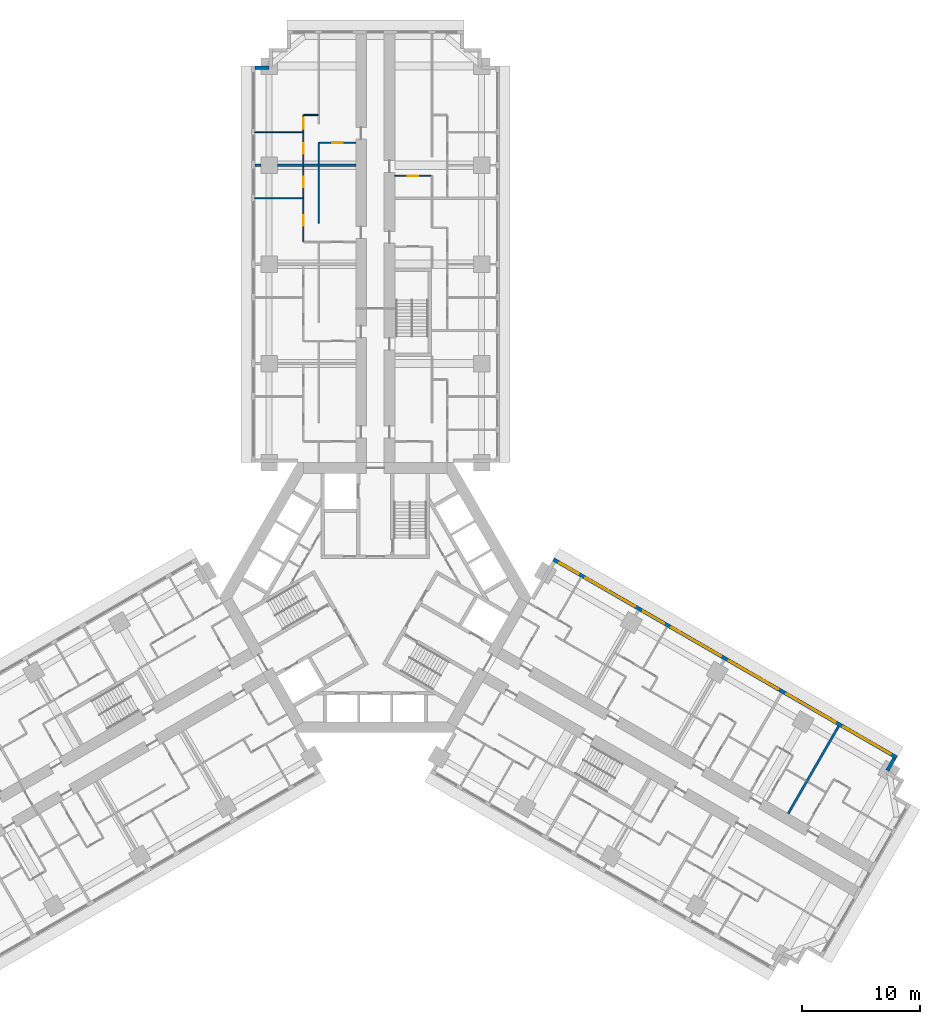
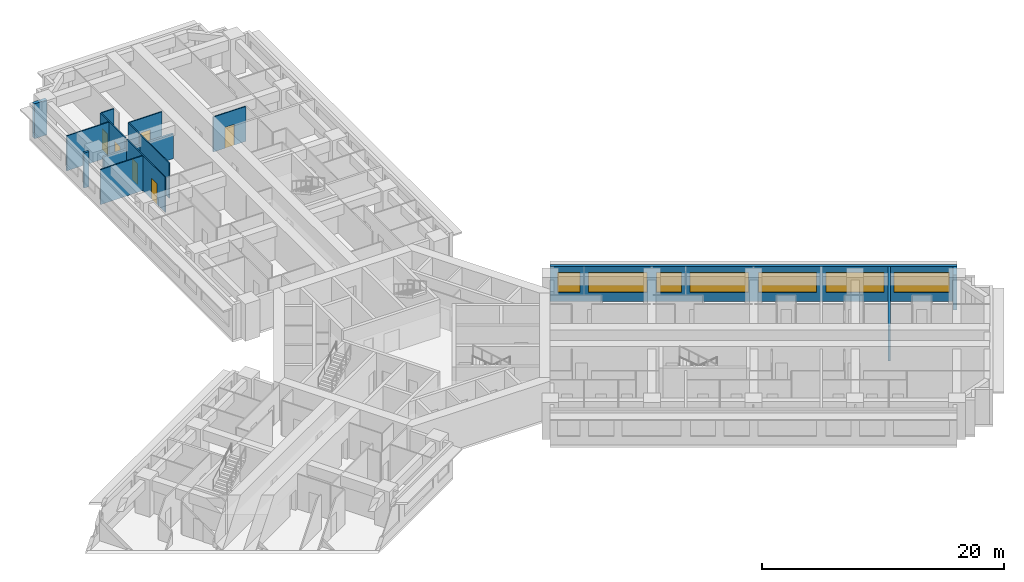
# One storey, part 13 of 16: 15 walls, 7 windows, 6 doors, 13 openings.
"""IFC4 building model written with IfcOpenShell, lengths in metres."""

from ifc_helpers import new_model, si_unit, direction, frame, frame_2d, origin, place, context, subcontext, project, spatial, rectangle, extrude, material, layer, layer_set, type_object, element, fill, save


model = new_model("IFC4")

# Units and contexts
model_context = context("Model", 3, precision=1e-05, world=origin(), true_north=direction((0.0, 1.0)))
body_context = subcontext(model_context, "Body", "Model", "MODEL_VIEW")
ifc_project = project(units=[si_unit("LENGTHUNIT", "METRE"), si_unit("AREAUNIT", "SQUARE_METRE"), si_unit("VOLUMEUNIT", "CUBIC_METRE"), si_unit("PLANEANGLEUNIT", "RADIAN"), si_unit("MASSUNIT", "GRAM", prefix="KILO")], contexts=[model_context])

# Site, building, storey
site_placement = place(None, origin())
site = spatial("IfcSite", under=ifc_project, at=site_placement, CompositionType="ELEMENT")
building_placement = place(site_placement, origin())
building = spatial("IfcBuilding", under=site, at=building_placement, Name="Impinga Residences", CompositionType="ELEMENT")
storey_placement = place(building_placement, frame((0.0, 0.0, 78.5)))
storey = spatial("IfcBuildingStorey", under=building, at=storey_placement, Name="L19", CompositionType="ELEMENT", Elevation=78.5)

# Wall
ifc_material_1 = material(Name="Terracotta rainscreen on blockwork", Category="masonry")
ifc_layer_1 = layer(ifc_material_1, 0.300048828125)
ifc_layer_set_1 = layer_set([ifc_layer_1], Name="EW1 external wall, terracotta rainscreen on blockwork 300")
wall_type_1 = type_object("IfcWallType", Name="EW1 external wall, terracotta rainscreen on blockwork 300", PredefinedType="SOLIDWALL", material=ifc_layer_set_1)
wall_1_placement = place(storey_placement, frame((-10.199951171875, 44.881591796875, 0.0), z_axis=(0.0, 0.0, 1.0), x_axis=(1.0, 0.0, 0.0)))
element("IfcWall", 1, at=wall_1_placement, inside=storey, type_object=wall_type_1, Name="External wall EW1 L19", PredefinedType="SOLIDWALL", context=body_context, shape_type="SweptSolid", body=[
    extrude(rectangle(XDim=1.199951171875, YDim=0.300048828125, at=frame_2d((0.60009765625, 0.0))), origin(), (0.0, 0.0, 1.0), 3.530029296875),
])

# Wall, openings, windows
wall_2_placement = place(storey_placement, frame((15.074951171875, 3.24755859375, 0.0), z_axis=(0.0, 0.0, 1.0), x_axis=(0.866024291668, -0.500001926238, 0.0)))
wall_2 = element("IfcWall", 2, at=wall_2_placement, inside=storey, type_object=wall_type_1, Name="External wall EW1 L19", PredefinedType="SOLIDWALL", context=body_context, shape_type="SweptSolid", body=[
    extrude(rectangle(XDim=33.599853515625, YDim=0.300048828125, at=frame_2d((16.7998046875, 0.0))), origin(), (0.0, 0.0, 1.0), 3.530029296875),
])
opening_1_placement = place(wall_2_placement, frame((0.60009765625, 0.0, 0.89990234375)))
opening_1 = element("IfcOpeningElement", 3, at=opening_1_placement, cuts=wall_2, Name="Opening W15", PredefinedType="OPENING", context=body_context, shape_type="SweptSolid", body=[
    extrude(rectangle(XDim=1.85009765625, YDim=2.050048828125, at=frame_2d((0.925048828125, 1.02490234375))), frame((0.0, 0.159912109375, 0.0), z_axis=(0.0, -1.0, 0.0), x_axis=(1.0, 0.0, 0.0)), (0.0, 0.0, 1.0), 0.320068359375),
])
opening_2_placement = place(wall_2_placement, frame((3.14990234375, 0.0, 0.89990234375)))
opening_2 = element("IfcOpeningElement", 4, at=opening_2_placement, cuts=wall_2, Name="Opening W6", PredefinedType="OPENING", context=body_context, shape_type="SweptSolid", body=[
    extrude(rectangle(XDim=4.85009765625, YDim=2.050048828125, at=frame_2d((2.425048828125, 1.02490234375))), frame((0.0, 0.159912109375, 0.0), z_axis=(0.0, -1.0, 0.0), x_axis=(1.0, 0.0, 0.0)), (0.0, 0.0, 1.0), 0.320068359375),
])
opening_3_placement = place(wall_2_placement, frame((8.800048828125, 0.0, 0.89990234375)))
opening_3 = element("IfcOpeningElement", 5, at=opening_3_placement, cuts=wall_2, Name="Opening W14", PredefinedType="OPENING", context=body_context, shape_type="SweptSolid", body=[
    extrude(rectangle(XDim=2.050048828125, YDim=2.050048828125, at=frame_2d((1.02490234375, 1.02490234375))), frame((0.0, 0.159912109375, 0.0), z_axis=(0.0, -1.0, 0.0), x_axis=(1.0, 0.0, 0.0)), (0.0, 0.0, 1.0), 0.320068359375),
])
opening_4_placement = place(wall_2_placement, frame((11.550048828125, 0.0, 0.89990234375)))
opening_4 = element("IfcOpeningElement", 6, at=opening_4_placement, cuts=wall_2, Name="Opening W6", PredefinedType="OPENING", context=body_context, shape_type="SweptSolid", body=[
    extrude(rectangle(XDim=4.85009765625, YDim=2.050048828125, at=frame_2d((2.425048828125, 1.02490234375))), frame((0.0, 0.159912109375, 0.0), z_axis=(0.0, -1.0, 0.0), x_axis=(1.0, 0.0, 0.0)), (0.0, 0.0, 1.0), 0.320068359375),
])
opening_5_placement = place(wall_2_placement, frame((17.199951171875, 0.0, 0.89990234375)))
opening_5 = element("IfcOpeningElement", 7, at=opening_5_placement, cuts=wall_2, Name="Opening W8", PredefinedType="OPENING", context=body_context, shape_type="SweptSolid", body=[
    extrude(rectangle(XDim=4.800048828125, YDim=2.050048828125, at=frame_2d((2.39990234375, 1.02490234375))), frame((0.0, 0.159912109375, 0.0), z_axis=(0.0, -1.0, 0.0), x_axis=(1.0, 0.0, 0.0)), (0.0, 0.0, 1.0), 0.320068359375),
])
opening_6_placement = place(wall_2_placement, frame((22.800048828125, 0.0, 0.89990234375)))
opening_6 = element("IfcOpeningElement", 8, at=opening_6_placement, cuts=wall_2, Name="Opening W8", PredefinedType="OPENING", context=body_context, shape_type="SweptSolid", body=[
    extrude(rectangle(XDim=4.800048828125, YDim=2.050048828125, at=frame_2d((2.39990234375, 1.02490234375))), frame((0.0, 0.159912109375, 0.0), z_axis=(0.0, -1.0, 0.0), x_axis=(1.0, 0.0, 0.0)), (0.0, 0.0, 1.0), 0.320068359375),
])
opening_7_placement = place(wall_2_placement, frame((28.39990234375, 0.0, 0.89990234375)))
opening_7 = element("IfcOpeningElement", 9, at=opening_7_placement, cuts=wall_2, Name="Opening W3", PredefinedType="OPENING", context=body_context, shape_type="SweptSolid", body=[
    extrude(rectangle(XDim=4.60009765625, YDim=2.050048828125, at=frame_2d((2.300048828125, 1.02490234375))), frame((0.0, 0.159912109375, 0.0), z_axis=(0.0, -1.0, 0.0), x_axis=(1.0, 0.0, 0.0)), (0.0, 0.0, 1.0), 0.320068359375),
])
ifc_material_2 = material(Name="Aluminium window, clear double glazing", Category="aluminium")
window_type_1 = type_object("IfcWindowType", Name="W14 ribbon window 2050x2050", PartitioningType="SINGLE_PANEL", PredefinedType="WINDOW", material=ifc_material_2)
window_1_placement = place(opening_3_placement, origin())
window_1 = element("IfcWindow", 10, at=window_1_placement, inside=storey, type_object=window_type_1, Name="Window L19", OverallHeight=2.050048828125, OverallWidth=2.050048828125, PartitioningType="SINGLE_PANEL", PredefinedType="WINDOW", context=body_context, shape_type="SweptSolid", body=[
    extrude(rectangle(XDim=2.050048828125, YDim=2.050048828125, at=frame_2d((1.02490234375, 1.02490234375))), frame((0.0, 0.030029296875, 0.0), z_axis=(0.0, -1.0, 0.0), x_axis=(1.0, 0.0, 0.0)), (0.0, 0.0, 1.0), 0.06005859375),
])
fill(opening_3, window_1)
window_type_2 = type_object("IfcWindowType", Name="W15 ribbon window 1850x2050", PartitioningType="SINGLE_PANEL", PredefinedType="WINDOW", material=ifc_material_2)
window_2_placement = place(opening_1_placement, origin())
window_2 = element("IfcWindow", 11, at=window_2_placement, inside=storey, type_object=window_type_2, Name="Window L19", OverallHeight=2.050048828125, OverallWidth=1.85009765625, PartitioningType="SINGLE_PANEL", PredefinedType="WINDOW", context=body_context, shape_type="SweptSolid", body=[
    extrude(rectangle(XDim=1.85009765625, YDim=2.050048828125, at=frame_2d((0.925048828125, 1.02490234375))), frame((0.0, 0.030029296875, 0.0), z_axis=(0.0, -1.0, 0.0), x_axis=(1.0, 0.0, 0.0)), (0.0, 0.0, 1.0), 0.06005859375),
])
fill(opening_1, window_2)
window_type_3 = type_object("IfcWindowType", Name="W3 ribbon window 4600x2050", PartitioningType="SINGLE_PANEL", PredefinedType="WINDOW", material=ifc_material_2)
window_3_placement = place(opening_7_placement, origin())
window_3 = element("IfcWindow", 12, at=window_3_placement, inside=storey, type_object=window_type_3, Name="Window L19", OverallHeight=2.050048828125, OverallWidth=4.60009765625, PartitioningType="SINGLE_PANEL", PredefinedType="WINDOW", context=body_context, shape_type="SweptSolid", body=[
    extrude(rectangle(XDim=4.60009765625, YDim=2.050048828125, at=frame_2d((2.300048828125, 1.02490234375))), frame((0.0, 0.030029296875, 0.0), z_axis=(0.0, -1.0, 0.0), x_axis=(1.0, 0.0, 0.0)), (0.0, 0.0, 1.0), 0.06005859375),
])
fill(opening_7, window_3)
window_type_4 = type_object("IfcWindowType", Name="W6 ribbon window 4850x2050", PartitioningType="SINGLE_PANEL", PredefinedType="WINDOW", material=ifc_material_2)
window_4_placement = place(opening_2_placement, origin())
window_4 = element("IfcWindow", 13, at=window_4_placement, inside=storey, type_object=window_type_4, Name="Window L19", OverallHeight=2.050048828125, OverallWidth=4.85009765625, PartitioningType="SINGLE_PANEL", PredefinedType="WINDOW", context=body_context, shape_type="SweptSolid", body=[
    extrude(rectangle(XDim=4.85009765625, YDim=2.050048828125, at=frame_2d((2.425048828125, 1.02490234375))), frame((0.0, 0.030029296875, 0.0), z_axis=(0.0, -1.0, 0.0), x_axis=(1.0, 0.0, 0.0)), (0.0, 0.0, 1.0), 0.06005859375),
])
fill(opening_2, window_4)
window_5_placement = place(opening_4_placement, origin())
window_5 = element("IfcWindow", 14, at=window_5_placement, inside=storey, type_object=window_type_4, Name="Window L19", OverallHeight=2.050048828125, OverallWidth=4.85009765625, PartitioningType="SINGLE_PANEL", PredefinedType="WINDOW", context=body_context, shape_type="SweptSolid", body=[
    extrude(rectangle(XDim=4.85009765625, YDim=2.050048828125, at=frame_2d((2.425048828125, 1.02490234375))), frame((0.0, 0.030029296875, 0.0), z_axis=(0.0, -1.0, 0.0), x_axis=(1.0, 0.0, 0.0)), (0.0, 0.0, 1.0), 0.06005859375),
])
fill(opening_4, window_5)
window_type_5 = type_object("IfcWindowType", Name="W8 ribbon window 4800x2050", PartitioningType="SINGLE_PANEL", PredefinedType="WINDOW", material=ifc_material_2)
window_6_placement = place(opening_5_placement, origin())
window_6 = element("IfcWindow", 15, at=window_6_placement, inside=storey, type_object=window_type_5, Name="Window L19", OverallHeight=2.050048828125, OverallWidth=4.800048828125, PartitioningType="SINGLE_PANEL", PredefinedType="WINDOW", context=body_context, shape_type="SweptSolid", body=[
    extrude(rectangle(XDim=4.800048828125, YDim=2.050048828125, at=frame_2d((2.39990234375, 1.02490234375))), frame((0.0, 0.030029296875, 0.0), z_axis=(0.0, -1.0, 0.0), x_axis=(1.0, 0.0, 0.0)), (0.0, 0.0, 1.0), 0.06005859375),
])
fill(opening_5, window_6)
window_7_placement = place(opening_6_placement, origin())
window_7 = element("IfcWindow", 16, at=window_7_placement, inside=storey, type_object=window_type_5, Name="Window L19", OverallHeight=2.050048828125, OverallWidth=4.800048828125, PartitioningType="SINGLE_PANEL", PredefinedType="WINDOW", context=body_context, shape_type="SweptSolid", body=[
    extrude(rectangle(XDim=4.800048828125, YDim=2.050048828125, at=frame_2d((2.39990234375, 1.02490234375))), frame((0.0, 0.030029296875, 0.0), z_axis=(0.0, -1.0, 0.0), x_axis=(1.0, 0.0, 0.0)), (0.0, 0.0, 1.0), 0.06005859375),
])
fill(opening_6, window_7)

# Walls
wall_3_placement = place(storey_placement, frame((43.968505859375, -13.607421875, 0.0), z_axis=(0.0, 0.0, 1.0), x_axis=(-0.500029051137, -0.866008630453, 0.0)))
element("IfcWall", 17, at=wall_3_placement, inside=storey, type_object=wall_type_1, Name="External wall EW1 L19", PredefinedType="SOLIDWALL", context=body_context, shape_type="SweptSolid", body=[
    extrude(rectangle(XDim=1.19482421875, YDim=0.300048828125, at=frame_2d((0.597412109375, 0.0))), origin(), (0.0, 0.0, 1.0), 3.530029296875),
])
ifc_material_3 = material(Name="Gypsum board on steel studs", Category="steel")
ifc_layer_2 = layer(ifc_material_3, 0.10009765625)
ifc_layer_set_2 = layer_set([ifc_layer_2], Name="Gypsum board on steel studs")
wall_type_2 = type_object("IfcWallType", Name="IP1 partition 100", PredefinedType="PARTITIONING", material=ifc_layer_set_2)
wall_4_placement = place(storey_placement, frame((-4.800048828125, 31.7314453125, 0.0), z_axis=(0.0, 0.0, 1.0), x_axis=(0.0, 1.0, 0.0)))
element("IfcWall", 18, at=wall_4_placement, inside=storey, type_object=wall_type_2, Name="Partition L19-NA3:DIV1", PredefinedType="PARTITIONING", context=body_context, shape_type="SweptSolid", body=[
    extrude(rectangle(XDim=4.800048828125, YDim=0.10009765625, at=frame_2d((2.39990234375, 0.0))), origin(), (0.0, 0.0, 1.0), 3.530029296875),
])

# Wall, openings, doors
wall_5_placement = place(storey_placement, frame((-6.10009765625, 30.131591796875, 0.0), z_axis=(0.0, 0.0, 1.0), x_axis=(0.0, 1.0, 0.0)))
wall_5 = element("IfcWall", 19, at=wall_5_placement, inside=storey, type_object=wall_type_2, Name="Partition L19-NA3:STRIP", PredefinedType="PARTITIONING", context=body_context, shape_type="SweptSolid", body=[
    extrude(rectangle(XDim=6.39990234375, YDim=0.10009765625, at=frame_2d((3.199951171875, 0.0))), origin(), (0.0, 0.0, 1.0), 3.530029296875),
])
opening_8_placement = place(wall_5_placement, frame((1.375, 0.0, 0.0)))
opening_8 = element("IfcOpeningElement", 20, at=opening_8_placement, cuts=wall_5, Name="Opening D2", PredefinedType="OPENING", context=body_context, shape_type="SweptSolid", body=[
    extrude(rectangle(XDim=0.89990234375, YDim=2.10009765625, at=frame_2d((0.449951171875, 1.050048828125))), frame((0.0, 0.06005859375, 0.0), z_axis=(0.0, -1.0, 0.0), x_axis=(1.0, 0.0, 0.0)), (0.0, 0.0, 1.0), 0.1201171875),
])
opening_9_placement = place(wall_5_placement, frame((4.625, 0.0, 0.0)))
opening_9 = element("IfcOpeningElement", 21, at=opening_9_placement, cuts=wall_5, Name="Opening D2", PredefinedType="OPENING", context=body_context, shape_type="SweptSolid", body=[
    extrude(rectangle(XDim=0.89990234375, YDim=2.10009765625, at=frame_2d((0.449951171875, 1.050048828125))), frame((0.0, 0.06005859375, 0.0), z_axis=(0.0, -1.0, 0.0), x_axis=(1.0, 0.0, 0.0)), (0.0, 0.0, 1.0), 0.1201171875),
])
ifc_material_4 = material(Name="Timber door set", Category="wood")
door_type = type_object("IfcDoorType", Name="D2 internal door 900x2100", OperationType="SINGLE_SWING_LEFT", PredefinedType="DOOR", material=ifc_material_4)
door_1_placement = place(opening_8_placement, origin())
door_1 = element("IfcDoor", 22, at=door_1_placement, inside=storey, type_object=door_type, Name="Apartment L19-NA3 room door", OperationType="SINGLE_SWING_LEFT", OverallHeight=2.10009765625, OverallWidth=0.89990234375, PredefinedType="DOOR", context=body_context, shape_type="SweptSolid", body=[
    extrude(rectangle(XDim=0.89990234375, YDim=2.10009765625, at=frame_2d((0.449951171875, 1.050048828125))), frame((0.0, 0.02490234375, 0.0), z_axis=(0.0, -1.0, 0.0), x_axis=(1.0, 0.0, 0.0)), (0.0, 0.0, 1.0), 0.050048828125),
])
fill(opening_8, door_1)
door_2_placement = place(opening_9_placement, origin())
door_2 = element("IfcDoor", 23, at=door_2_placement, inside=storey, type_object=door_type, Name="Apartment L19-NA3 room door", OperationType="SINGLE_SWING_RIGHT", OverallHeight=2.10009765625, OverallWidth=0.89990234375, PredefinedType="DOOR", context=body_context, shape_type="SweptSolid", body=[
    extrude(rectangle(XDim=0.89990234375, YDim=2.10009765625, at=frame_2d((0.449951171875, 1.050048828125))), frame((0.0, 0.02490234375, 0.0), z_axis=(0.0, -1.0, 0.0), x_axis=(1.0, 0.0, 0.0)), (0.0, 0.0, 1.0), 0.050048828125),
])
fill(opening_9, door_2)

# Walls
wall_6_placement = place(storey_placement, frame((-6.14990234375, 33.83154296875, 0.0), z_axis=(0.0, 0.0, 1.0), x_axis=(-1.0, 0.0, 0.0)))
element("IfcWall", 24, at=wall_6_placement, inside=storey, type_object=wall_type_2, Name="Partition L19-NA3:OB1", PredefinedType="PARTITIONING", context=body_context, shape_type="SweptSolid", body=[
    extrude(rectangle(XDim=4.050048828125, YDim=0.10009765625, at=frame_2d((2.02490234375, 0.0))), origin(), (0.0, 0.0, 1.0), 3.530029296875),
])
wall_7_placement = place(storey_placement, frame((-4.800048828125, 36.7314453125, 0.0), z_axis=(0.0, 0.0, 1.0), x_axis=(0.0, 1.0, 0.0)))
element("IfcWall", 25, at=wall_7_placement, inside=storey, type_object=wall_type_2, Name="Partition L19-NA4:DIV0", PredefinedType="PARTITIONING", context=body_context, shape_type="SweptSolid", body=[
    extrude(rectangle(XDim=1.800048828125, YDim=0.10009765625, at=frame_2d((0.89990234375, 0.0))), origin(), (0.0, 0.0, 1.0), 3.530029296875),
])

# Wall, openings, doors
wall_8_placement = place(storey_placement, frame((-6.10009765625, 36.7314453125, 0.0), z_axis=(0.0, 0.0, 1.0), x_axis=(0.0, 1.0, 0.0)))
wall_8 = element("IfcWall", 26, at=wall_8_placement, inside=storey, type_object=wall_type_2, Name="Partition L19-NA4:STRIP", PredefinedType="PARTITIONING", context=body_context, shape_type="SweptSolid", body=[
    extrude(rectangle(XDim=4.150146484375, YDim=0.10009765625, at=frame_2d((2.0751953125, 0.0))), origin(), (0.0, 0.0, 1.0), 3.530029296875),
])
opening_10_placement = place(wall_8_placement, frame((0.875, 0.0, 0.0)))
opening_10 = element("IfcOpeningElement", 27, at=opening_10_placement, cuts=wall_8, Name="Opening D2", PredefinedType="OPENING", context=body_context, shape_type="SweptSolid", body=[
    extrude(rectangle(XDim=0.89990234375, YDim=2.10009765625, at=frame_2d((0.449951171875, 1.050048828125))), frame((0.0, 0.06005859375, 0.0), z_axis=(0.0, -1.0, 0.0), x_axis=(1.0, 0.0, 0.0)), (0.0, 0.0, 1.0), 0.1201171875),
])
opening_11_placement = place(wall_8_placement, frame((3.0, 0.0, 0.0)))
opening_11 = element("IfcOpeningElement", 28, at=opening_11_placement, cuts=wall_8, Name="Opening D2", PredefinedType="OPENING", context=body_context, shape_type="SweptSolid", body=[
    extrude(rectangle(XDim=0.89990234375, YDim=2.10009765625, at=frame_2d((0.449951171875, 1.050048828125))), frame((0.0, 0.06005859375, 0.0), z_axis=(0.0, -1.0, 0.0), x_axis=(1.0, 0.0, 0.0)), (0.0, 0.0, 1.0), 0.1201171875),
])
door_3_placement = place(opening_10_placement, origin())
door_3 = element("IfcDoor", 29, at=door_3_placement, inside=storey, type_object=door_type, Name="Apartment L19-NA4 room door", OperationType="SINGLE_SWING_LEFT", OverallHeight=2.10009765625, OverallWidth=0.89990234375, PredefinedType="DOOR", context=body_context, shape_type="SweptSolid", body=[
    extrude(rectangle(XDim=0.89990234375, YDim=2.10009765625, at=frame_2d((0.449951171875, 1.050048828125))), frame((0.0, 0.02490234375, 0.0), z_axis=(0.0, -1.0, 0.0), x_axis=(1.0, 0.0, 0.0)), (0.0, 0.0, 1.0), 0.050048828125),
])
fill(opening_10, door_3)
door_4_placement = place(opening_11_placement, origin())
door_4 = element("IfcDoor", 30, at=door_4_placement, inside=storey, type_object=door_type, Name="Apartment L19-NA4 room door", OperationType="SINGLE_SWING_RIGHT", OverallHeight=2.10009765625, OverallWidth=0.89990234375, PredefinedType="DOOR", context=body_context, shape_type="SweptSolid", body=[
    extrude(rectangle(XDim=0.89990234375, YDim=2.10009765625, at=frame_2d((0.449951171875, 1.050048828125))), frame((0.0, 0.02490234375, 0.0), z_axis=(0.0, -1.0, 0.0), x_axis=(1.0, 0.0, 0.0)), (0.0, 0.0, 1.0), 0.050048828125),
])
fill(opening_11, door_4)

# Wall
wall_9_placement = place(storey_placement, frame((-4.85009765625, 40.881591796875, 0.0), z_axis=(0.0, 0.0, 1.0), x_axis=(-1.0, 0.0, 0.0)))
element("IfcWall", 31, at=wall_9_placement, inside=storey, type_object=wall_type_2, Name="Partition L19-NA4:SE1", PredefinedType="PARTITIONING", context=body_context, shape_type="SweptSolid", body=[
    extrude(rectangle(XDim=1.199951171875, YDim=0.10009765625, at=frame_2d((0.60009765625, 0.0))), origin(), (0.0, 0.0, 1.0), 3.530029296875),
])

# Wall, opening, door
wall_10_placement = place(storey_placement, frame((-1.64990234375, 38.531494140625, 0.0), z_axis=(0.0, 0.0, 1.0), x_axis=(-1.0, 0.0, 0.0)))
wall_10 = element("IfcWall", 32, at=wall_10_placement, inside=storey, type_object=wall_type_2, Name="Partition L19-NA4:IB1", PredefinedType="PARTITIONING", context=body_context, shape_type="SweptSolid", body=[
    extrude(rectangle(XDim=3.10009765625, YDim=0.10009765625, at=frame_2d((1.550048828125, 0.0))), origin(), (0.0, 0.0, 1.0), 3.530029296875),
])
opening_12_placement = place(wall_10_placement, frame((1.10009765625, 0.0, 0.0)))
opening_12 = element("IfcOpeningElement", 33, at=opening_12_placement, cuts=wall_10, Name="Opening D2", PredefinedType="OPENING", context=body_context, shape_type="SweptSolid", body=[
    extrude(rectangle(XDim=0.89990234375, YDim=2.10009765625, at=frame_2d((0.449951171875, 1.050048828125))), frame((0.0, 0.06005859375, 0.0), z_axis=(0.0, -1.0, 0.0), x_axis=(1.0, 0.0, 0.0)), (0.0, 0.0, 1.0), 0.1201171875),
])
door_5_placement = place(opening_12_placement, origin())
door_5 = element("IfcDoor", 34, at=door_5_placement, inside=storey, type_object=door_type, Name="Apartment L19-NA4 bathroom door", OperationType="SINGLE_SWING_LEFT", OverallHeight=2.10009765625, OverallWidth=0.89990234375, PredefinedType="DOOR", context=body_context, shape_type="SweptSolid", body=[
    extrude(rectangle(XDim=0.89990234375, YDim=2.10009765625, at=frame_2d((0.449951171875, 1.050048828125))), frame((0.0, 0.02490234375, 0.0), z_axis=(0.0, -1.0, 0.0), x_axis=(1.0, 0.0, 0.0)), (0.0, 0.0, 1.0), 0.050048828125),
])
fill(opening_12, door_5)

# Wall
wall_11_placement = place(storey_placement, frame((-6.14990234375, 39.431640625, 0.0), z_axis=(0.0, 0.0, 1.0), x_axis=(-1.0, 0.0, 0.0)))
element("IfcWall", 35, at=wall_11_placement, inside=storey, type_object=wall_type_2, Name="Partition L19-NA4:OB1", PredefinedType="PARTITIONING", context=body_context, shape_type="SweptSolid", body=[
    extrude(rectangle(XDim=4.050048828125, YDim=0.10009765625, at=frame_2d((2.02490234375, 0.0))), origin(), (0.0, 0.0, 1.0), 3.530029296875),
])

# Wall, opening, door
wall_12_placement = place(storey_placement, frame((1.64990234375, 35.7314453125, 0.0), z_axis=(0.0, 0.0, 1.0), x_axis=(1.0, 0.0, 0.0)))
wall_12 = element("IfcWall", 36, at=wall_12_placement, inside=storey, type_object=wall_type_2, Name="Partition L19-NF3:IB1", PredefinedType="PARTITIONING", context=body_context, shape_type="SweptSolid", body=[
    extrude(rectangle(XDim=3.10009765625, YDim=0.10009765625, at=frame_2d((1.550048828125, 0.0))), origin(), (0.0, 0.0, 1.0), 3.530029296875),
])
opening_13_placement = place(wall_12_placement, frame((1.10009765625, 0.0, 0.0)))
opening_13 = element("IfcOpeningElement", 37, at=opening_13_placement, cuts=wall_12, Name="Opening D2", PredefinedType="OPENING", context=body_context, shape_type="SweptSolid", body=[
    extrude(rectangle(XDim=0.89990234375, YDim=2.10009765625, at=frame_2d((0.449951171875, 1.050048828125))), frame((0.0, 0.06005859375, 0.0), z_axis=(0.0, -1.0, 0.0), x_axis=(1.0, 0.0, 0.0)), (0.0, 0.0, 1.0), 0.1201171875),
])
door_6_placement = place(opening_13_placement, origin())
door_6 = element("IfcDoor", 38, at=door_6_placement, inside=storey, type_object=door_type, Name="Apartment L19-NF3 bathroom door", OperationType="SINGLE_SWING_LEFT", OverallHeight=2.10009765625, OverallWidth=0.89990234375, PredefinedType="DOOR", context=body_context, shape_type="SweptSolid", body=[
    extrude(rectangle(XDim=0.89990234375, YDim=2.10009765625, at=frame_2d((0.449951171875, 1.050048828125))), frame((0.0, 0.02490234375, 0.0), z_axis=(0.0, -1.0, 0.0), x_axis=(1.0, 0.0, 0.0)), (0.0, 0.0, 1.0), 0.050048828125),
])
fill(opening_13, door_6)

# Walls
ifc_material_5 = material(Name="Concrete blockwork", Category="masonry")
ifc_layer_3 = layer(ifc_material_5, 0.199951171875)
ifc_layer_set_3 = layer_set([ifc_layer_3], Name="PW1 party wall between apartments 200")
wall_type_3 = type_object("IfcWallType", Name="PW1 party wall between apartments 200", PredefinedType="SOLIDWALL", material=ifc_layer_set_3)
wall_13_placement = place(storey_placement, frame((-1.64990234375, 36.631591796875, 0.0), z_axis=(0.0, 0.0, 1.0), x_axis=(-1.0, 0.0, 0.0)))
element("IfcWall", 39, at=wall_13_placement, inside=storey, type_object=wall_type_3, Name="Party wall between apartments L19-NA3:PARTY", PredefinedType="SOLIDWALL", context=body_context, shape_type="SweptSolid", body=[
    extrude(rectangle(XDim=6.650146484375, YDim=0.199951171875, at=frame_2d((3.3251953125, 0.0))), origin(), (0.0, 0.0, 1.0), 2.47998046875),
])
wall_14_placement = place(storey_placement, frame((-9.699951171875, 36.631591796875, 0.0), z_axis=(0.0, 0.0, 1.0), x_axis=(-1.0, 0.0, 0.0)))
element("IfcWall", 40, at=wall_14_placement, inside=storey, type_object=wall_type_3, Name="Party wall between apartments L19-NA3:PARTYb", PredefinedType="SOLIDWALL", context=body_context, shape_type="SweptSolid", body=[
    extrude(rectangle(XDim=0.5, YDim=0.199951171875, at=frame_2d((0.25, 0.0))), origin(), (0.0, 0.0, 1.0), 3.530029296875),
])
wall_15_placement = place(storey_placement, frame((34.9736328125, -18.286865234375, 0.0), z_axis=(0.0, 0.0, 1.0), x_axis=(0.500011643316, 0.866018681408, 0.0)))
element("IfcWall", 41, at=wall_15_placement, inside=storey, type_object=wall_type_3, Name="Party wall between apartments L19-EA4:PARTY", PredefinedType="SOLIDWALL", context=body_context, shape_type="SweptSolid", body=[
    extrude(rectangle(XDim=8.550048828125, YDim=0.199951171875, at=frame_2d((4.27490234375, 0.0))), origin(), (0.0, 0.0, 1.0), 3.530029296875),
])

save(model, "model.ifc")
